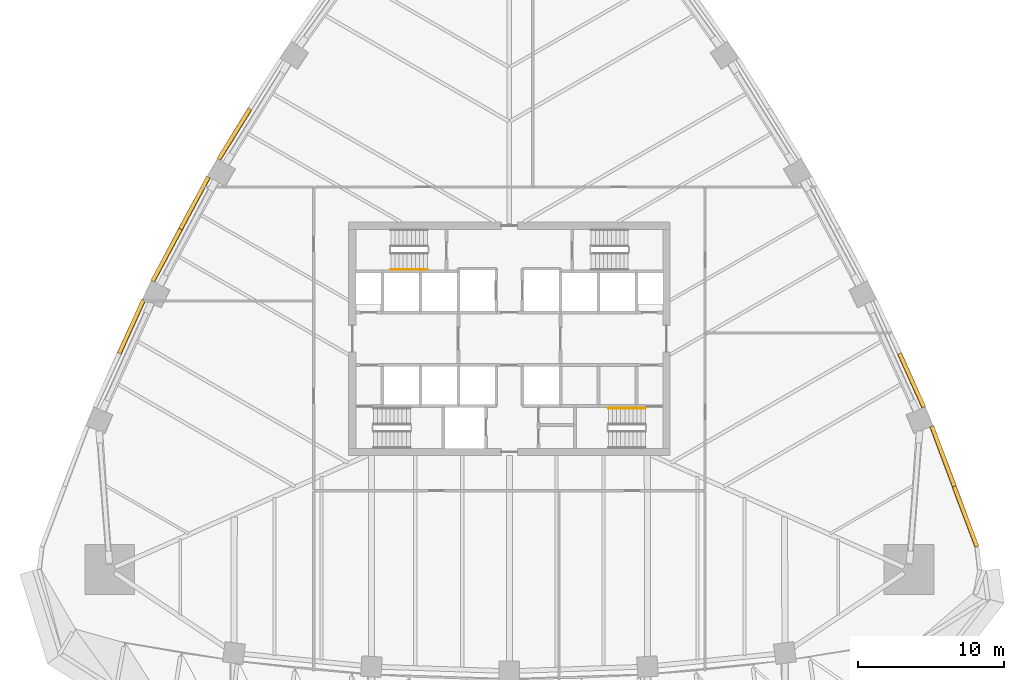
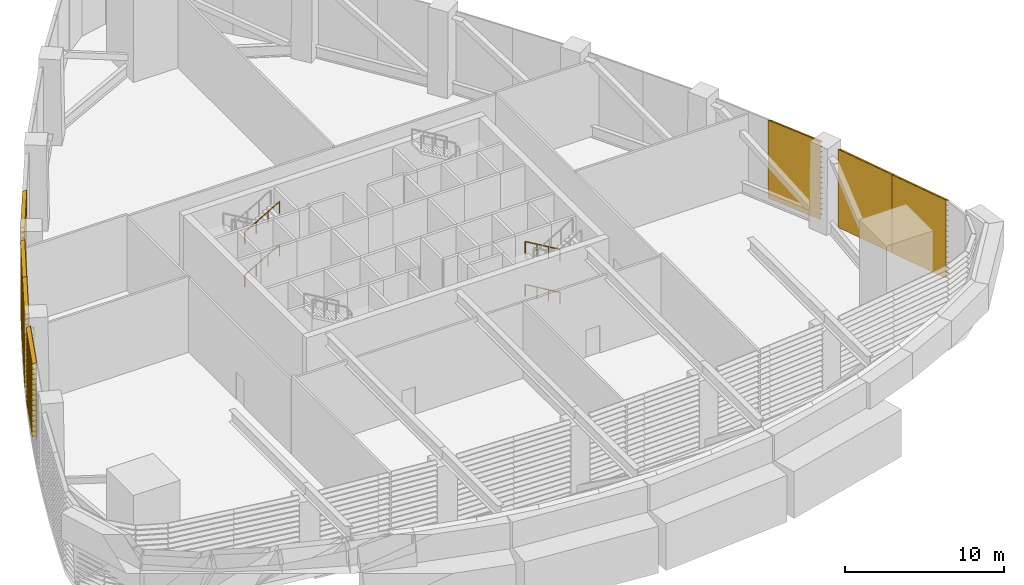
# One storey, part 12 of 15: 7 shading devices, 4 railings.
"""IFC4 building model written with IfcOpenShell, lengths in metres."""

from ifc_helpers import new_model, si_unit, direction, frame, origin, origin_2d, place, context, subcontext, project, spatial, polyline, circle, outline, extrude, material, type_object, element, save


model = new_model("IFC4")

# Units and contexts
model_context = context("Model", 3, precision=1e-05, world=origin(), true_north=direction((0.0, 1.0)))
body_context = subcontext(model_context, "Body", "Model", "MODEL_VIEW")
ifc_project = project(units=[si_unit("LENGTHUNIT", "METRE"), si_unit("AREAUNIT", "SQUARE_METRE"), si_unit("VOLUMEUNIT", "CUBIC_METRE"), si_unit("PLANEANGLEUNIT", "RADIAN"), si_unit("MASSUNIT", "GRAM", prefix="KILO")], contexts=[model_context])

# Site, building, storey
site_placement = place(None, origin())
site = spatial("IfcSite", under=ifc_project, at=site_placement, CompositionType="ELEMENT")
building_placement = place(site_placement, origin())
building = spatial("IfcBuilding", under=site, at=building_placement, Name="Sierra Prisma Convention Tower", CompositionType="ELEMENT")
storey_placement = place(building_placement, frame((0.0, 0.0, 34.199951171875)))
storey = spatial("IfcBuildingStorey", under=building, at=storey_placement, Name="L05", CompositionType="ELEMENT", Elevation=34.199951171875)

# Railings
ifc_material_1 = material(Name="Stainless steel", Category="steel")
railing_type = type_object("IfcRailingType", Name="Exit stair handrail", PredefinedType="HANDRAIL", material=ifc_material_1)
railing_1_placement = place(storey_placement, frame((9.300048828125, -4.75, 0.1650390625)))
element("IfcRailing", 1, at=railing_1_placement, inside=storey, type_object=railing_type, Name="L05 S2 stair handrail 1", PredefinedType="HANDRAIL", context=body_context, shape_type="SweptSolid", body=[
    extrude(circle(Radius=0.02392578125, at=origin_2d()), frame((0.0, 0.0, 0.8759765625), z_axis=(-0.86152411907, 0.0, 0.507716645641), x_axis=(0.0, -1.0, 0.0)), (0.0, 0.0, 1.0), 2.925048828125),
    extrude(circle(Radius=0.02099609375, at=origin_2d()), origin(), (0.0, 0.0, 1.0), 0.851806640625),
    extrude(circle(Radius=0.02099609375, at=origin_2d()), frame((-0.840087890625, 0.0, 0.4951171875)), (0.0, 0.0, 1.0), 0.851806640625),
    extrude(circle(Radius=0.02099609375, at=origin_2d()), frame((-1.679931640625, 0.0, 0.989990234375)), (0.0, 0.0, 1.0), 0.851806640625),
    extrude(circle(Radius=0.02099609375, at=origin_2d()), frame((-2.52001953125, 0.0, 1.485107421875)), (0.0, 0.0, 1.0), 0.851806640625),
])
railing_2_placement = place(storey_placement, frame((9.300048828125, -4.75, 3.465087890625)))
element("IfcRailing", 2, at=railing_2_placement, inside=storey, type_object=railing_type, Name="L05 S2 stair handrail 3", PredefinedType="HANDRAIL", context=body_context, shape_type="SweptSolid", body=[
    extrude(circle(Radius=0.02392578125, at=origin_2d()), frame((0.0, 0.0, 0.8759765625), z_axis=(-0.861560626758, 0.0, 0.507654692109), x_axis=(0.0, -1.0, 0.0)), (0.0, 0.0, 1.0), 2.925048828125),
    extrude(circle(Radius=0.02099609375, at=origin_2d()), origin(), (0.0, 0.0, 1.0), 0.851806640625),
    extrude(circle(Radius=0.02099609375, at=origin_2d()), frame((-0.840087890625, 0.0, 0.494873046875)), (0.0, 0.0, 1.0), 0.851806640625),
    extrude(circle(Radius=0.02099609375, at=origin_2d()), frame((-1.679931640625, 0.0, 0.989990234375)), (0.0, 0.0, 1.0), 0.851806640625),
    extrude(circle(Radius=0.02099609375, at=origin_2d()), frame((-2.52001953125, 0.0, 1.48486328125)), (0.0, 0.0, 1.0), 0.851806640625),
])
for number, where, name in (
    (3, (-8.1201171875, 4.75, 1.81494140625), "L05 S3 stair handrail 2"),
    (4, (-8.1201171875, 4.75, 5.114990234375), "L05 S3 stair handrail 4"),
):
    element("IfcRailing", number, at=place(storey_placement, frame(where)), inside=storey, type_object=railing_type, Name=name, PredefinedType="HANDRAIL", context=body_context, shape_type="SweptSolid", body=[
        extrude(circle(Radius=0.02392578125, at=origin_2d()), frame((0.0, 0.0, 0.8759765625), z_axis=(0.86152411907, 0.0, 0.507716645641), x_axis=(0.0, 1.0, 0.0)), (0.0, 0.0, 1.0), 2.925048828125),
        extrude(circle(Radius=0.02099609375, at=origin_2d()), origin(), (0.0, 0.0, 1.0), 0.851806640625),
        extrude(circle(Radius=0.02099609375, at=origin_2d()), frame((0.840087890625, 0.0, 0.4951171875)), (0.0, 0.0, 1.0), 0.851806640625),
        extrude(circle(Radius=0.02099609375, at=origin_2d()), frame((1.679931640625, 0.0, 0.989990234375)), (0.0, 0.0, 1.0), 0.851806640625),
        extrude(circle(Radius=0.02099609375, at=origin_2d()), frame((2.52001953125, 0.0, 1.485107421875)), (0.0, 0.0, 1.0), 0.851806640625),
    ])

# Shading devices
ifc_material_2 = material(Name="Aluminium 6063-T6 bronze anodised", Category="aluminium")
shading_device_type = type_object("IfcShadingDeviceType", Name="Louvre bay bronze", PredefinedType="USERDEFINED", material=ifc_material_2)
shading_device_1_placement = place(storey_placement, frame((31.8544921875, -14.270751953125, 0.0), z_axis=(0.354803956976, -0.934940721177, 0.0), x_axis=(0.0, 0.0, 1.0)))
element("IfcShadingDevice", 5, at=shading_device_1_placement, inside=storey, type_object=shading_device_type, Name="Louvre L05 NE1.1", ObjectType="LOUVRE", PredefinedType="USERDEFINED", context=body_context, shape_type="SweptSolid", body=[
    extrude(outline(polyline([(0.0, 0.0), (6.0, 0.0), (6.0, -0.030060927012268052), (5.97998046875, -0.030060927012268052), (5.860107421875, -0.29991629364421224), (5.830078125, -0.29991629364421224), (5.949951171875, -0.030060927012268052), (5.60009765625, -0.030060927012268052), (5.580078125, -0.030060927012268052), (5.4599609375, -0.29991629364421224), (5.429931640625, -0.29991629364421224), (5.550048828125, -0.030060927012268052), (5.199951171875, -0.030060927012268052), (5.179931640625, -0.030060927012268052), (5.06005859375, -0.29991629364421224), (5.030029296875, -0.29991629364421224), (5.150146484375, -0.030060927012268052), (4.800048828125, -0.030060927012268052), (4.780029296875, -0.030060927012268052), (4.66015625, -0.29991629364421224), (4.630126953125, -0.29991629364421224), (4.75, -0.030060927012268052), (4.400146484375, -0.030060927012268052), (4.380126953125, -0.030060927012268052), (4.260009765625, -0.29991629364421224), (4.22998046875, -0.29991629364421224), (4.35009765625, -0.030060927012268052), (4.0, -0.030060927012268052), (3.97998046875, -0.030060927012268052), (3.860107421875, -0.29991629364421224), (3.830078125, -0.29991629364421224), (3.949951171875, -0.030060927012268052), (3.60009765625, -0.030060927012268052), (3.580078125, -0.030060927012268052), (3.4599609375, -0.29991629364421224), (3.429931640625, -0.29991629364421224), (3.550048828125, -0.030060927012268052), (3.199951171875, -0.030060927012268052), (3.179931640625, -0.030060927012268052), (3.06005859375, -0.29991629364421224), (3.030029296875, -0.29991629364421224), (3.150146484375, -0.030060927012268052), (2.800048828125, -0.030060927012268052), (2.780029296875, -0.030060927012268052), (2.66015625, -0.29991629364421224), (2.630126953125, -0.29991629364421224), (2.75, -0.030060927012268052), (2.400146484375, -0.030060927012268052), (2.380126953125, -0.030060927012268052), (2.260009765625, -0.29991629364421224), (2.22998046875, -0.29991629364421224), (2.35009765625, -0.030060927012268052), (2.0, -0.030060927012268052), (1.97998046875, -0.030060927012268052), (1.860107421875, -0.29991629364421224), (1.830078125, -0.29991629364421224), (1.949951171875, -0.030060927012268052), (1.60009765625, -0.030060927012268052), (1.580078125, -0.030060927012268052), (1.4599609375, -0.29991629364421224), (1.429931640625, -0.29991629364421224), (1.550048828125, -0.030060927012268052), (1.199951171875, -0.030060927012268052), (1.179931640625, -0.030060927012268052), (1.06005859375, -0.29991629364421224), (1.030029296875, -0.29991629364421224), (1.150146484375, -0.030060927012268052), (0.800048828125, -0.030060927012268052), (0.780029296875, -0.030060927012268052), (0.66015625, -0.29991629364421224), (0.630126953125, -0.29991629364421224), (0.75, -0.030060927012268052), (0.400146484375, -0.030060927012268052), (0.380126953125, -0.030060927012268052), (0.260009765625, -0.29991629364421224), (0.22998046875, -0.29991629364421224), (0.35009765625, -0.030060927012268052), (0.0, -0.030060927012268052), (0.0, 0.0)])), origin(), (0.0, 0.0, -1.0), 4.394287109375),
])
shading_device_2_placement = place(storey_placement, frame((30.3095703125, -10.156982421875, 0.0), z_axis=(0.350870432564, -0.936424016967, 0.0), x_axis=(0.0, 0.0, 1.0)))
element("IfcShadingDevice", 6, at=shading_device_2_placement, inside=storey, type_object=shading_device_type, Name="Louvre L05 NE1.2", ObjectType="LOUVRE", PredefinedType="USERDEFINED", context=body_context, shape_type="SweptSolid", body=[
    extrude(outline(polyline([(0.0, 0.0), (6.0, 0.0), (6.0, -0.0299746558963479), (5.97998046875, -0.0299746558963479), (5.860107421875, -0.2999178824168793), (5.830078125, -0.2999178824168793), (5.949951171875, -0.0299746558963479), (5.60009765625, -0.0299746558963479), (5.580078125, -0.0299746558963479), (5.4599609375, -0.2999178824168793), (5.429931640625, -0.2999178824168793), (5.550048828125, -0.0299746558963479), (5.199951171875, -0.0299746558963479), (5.179931640625, -0.0299746558963479), (5.06005859375, -0.2999178824168793), (5.030029296875, -0.2999178824168793), (5.150146484375, -0.0299746558963479), (4.800048828125, -0.0299746558963479), (4.780029296875, -0.0299746558963479), (4.66015625, -0.2999178824168793), (4.630126953125, -0.2999178824168793), (4.75, -0.0299746558963479), (4.400146484375, -0.0299746558963479), (4.380126953125, -0.0299746558963479), (4.260009765625, -0.2999178824168793), (4.22998046875, -0.2999178824168793), (4.35009765625, -0.0299746558963479), (4.0, -0.0299746558963479), (3.97998046875, -0.0299746558963479), (3.860107421875, -0.2999178824168793), (3.830078125, -0.2999178824168793), (3.949951171875, -0.0299746558963479), (3.60009765625, -0.0299746558963479), (3.580078125, -0.0299746558963479), (3.4599609375, -0.2999178824168793), (3.429931640625, -0.2999178824168793), (3.550048828125, -0.0299746558963479), (3.199951171875, -0.0299746558963479), (3.179931640625, -0.0299746558963479), (3.06005859375, -0.2999178824168793), (3.030029296875, -0.2999178824168793), (3.150146484375, -0.0299746558963479), (2.800048828125, -0.0299746558963479), (2.780029296875, -0.0299746558963479), (2.66015625, -0.2999178824168793), (2.630126953125, -0.2999178824168793), (2.75, -0.0299746558963479), (2.400146484375, -0.0299746558963479), (2.380126953125, -0.0299746558963479), (2.260009765625, -0.2999178824168793), (2.22998046875, -0.2999178824168793), (2.35009765625, -0.0299746558963479), (2.0, -0.0299746558963479), (1.97998046875, -0.0299746558963479), (1.860107421875, -0.2999178824168793), (1.830078125, -0.2999178824168793), (1.949951171875, -0.0299746558963479), (1.60009765625, -0.0299746558963479), (1.580078125, -0.0299746558963479), (1.4599609375, -0.2999178824168793), (1.429931640625, -0.2999178824168793), (1.550048828125, -0.0299746558963479), (1.199951171875, -0.0299746558963479), (1.179931640625, -0.0299746558963479), (1.06005859375, -0.2999178824168793), (1.030029296875, -0.2999178824168793), (1.150146484375, -0.0299746558963479), (0.800048828125, -0.0299746558963479), (0.780029296875, -0.0299746558963479), (0.66015625, -0.2999178824168793), (0.630126953125, -0.2999178824168793), (0.75, -0.0299746558963479), (0.400146484375, -0.0299746558963479), (0.380126953125, -0.0299746558963479), (0.260009765625, -0.2999178824168793), (0.22998046875, -0.2999178824168793), (0.35009765625, -0.0299746558963479), (0.0, -0.0299746558963479), (0.0, 0.0)])), origin(), (0.0, 0.0, -1.0), 4.394287109375),
])
shading_device_3_placement = place(storey_placement, frame((28.22998046875, -4.750244140625, 0.0), z_axis=(0.413510300775, -0.910499440501, 0.0), x_axis=(0.0, 0.0, 1.0)))
element("IfcShadingDevice", 7, at=shading_device_3_placement, inside=storey, type_object=shading_device_type, Name="Louvre L05 NE2.1", ObjectType="LOUVRE", PredefinedType="USERDEFINED", context=body_context, shape_type="SweptSolid", body=[
    extrude(outline(polyline([(0.0, 0.0), (6.0, 0.0), (6.0, -0.030045156903236732), (5.97998046875, -0.030045156903236732), (5.860107421875, -0.30014870504254165), (5.830078125, -0.30014870504254165), (5.949951171875, -0.030045156903236732), (5.60009765625, -0.030045156903236732), (5.580078125, -0.030045156903236732), (5.4599609375, -0.30014870504254165), (5.429931640625, -0.30014870504254165), (5.550048828125, -0.030045156903236732), (5.199951171875, -0.030045156903236732), (5.179931640625, -0.030045156903236732), (5.06005859375, -0.30014870504254165), (5.030029296875, -0.30014870504254165), (5.150146484375, -0.030045156903236732), (4.800048828125, -0.030045156903236732), (4.780029296875, -0.030045156903236732), (4.66015625, -0.30014870504254165), (4.630126953125, -0.30014870504254165), (4.75, -0.030045156903236732), (4.400146484375, -0.030045156903236732), (4.380126953125, -0.030045156903236732), (4.260009765625, -0.30014870504254165), (4.22998046875, -0.30014870504254165), (4.35009765625, -0.030045156903236732), (4.0, -0.030045156903236732), (3.97998046875, -0.030045156903236732), (3.860107421875, -0.30014870504254165), (3.830078125, -0.30014870504254165), (3.949951171875, -0.030045156903236732), (3.60009765625, -0.030045156903236732), (3.580078125, -0.030045156903236732), (3.4599609375, -0.30014870504254165), (3.429931640625, -0.30014870504254165), (3.550048828125, -0.030045156903236732), (3.199951171875, -0.030045156903236732), (3.179931640625, -0.030045156903236732), (3.06005859375, -0.30014870504254165), (3.030029296875, -0.30014870504254165), (3.150146484375, -0.030045156903236732), (2.800048828125, -0.030045156903236732), (2.780029296875, -0.030045156903236732), (2.66015625, -0.30014870504254165), (2.630126953125, -0.30014870504254165), (2.75, -0.030045156903236732), (2.400146484375, -0.030045156903236732), (2.380126953125, -0.030045156903236732), (2.260009765625, -0.30014870504254165), (2.22998046875, -0.30014870504254165), (2.35009765625, -0.030045156903236732), (2.0, -0.030045156903236732), (1.97998046875, -0.030045156903236732), (1.860107421875, -0.30014870504254165), (1.830078125, -0.30014870504254165), (1.949951171875, -0.030045156903236732), (1.60009765625, -0.030045156903236732), (1.580078125, -0.030045156903236732), (1.4599609375, -0.30014870504254165), (1.429931640625, -0.30014870504254165), (1.550048828125, -0.030045156903236732), (1.199951171875, -0.030045156903236732), (1.179931640625, -0.030045156903236732), (1.06005859375, -0.30014870504254165), (1.030029296875, -0.30014870504254165), (1.150146484375, -0.030045156903236732), (0.800048828125, -0.030045156903236732), (0.780029296875, -0.030045156903236732), (0.66015625, -0.30014870504254165), (0.630126953125, -0.30014870504254165), (0.75, -0.030045156903236732), (0.400146484375, -0.030045156903236732), (0.380126953125, -0.030045156903236732), (0.260009765625, -0.30014870504254165), (0.22998046875, -0.30014870504254165), (0.35009765625, -0.030045156903236732), (0.0, -0.030045156903236732), (0.0, 0.0)])), origin(), (0.0, 0.0, -1.0), 4.044189453125),
])
shading_device_4_placement = place(storey_placement, frame((-17.629150390625, 15.6533203125, 0.0), z_axis=(0.527067455118, 0.849823450933, 0.0), x_axis=(0.0, 0.0, 1.0)))
element("IfcShadingDevice", 8, at=shading_device_4_placement, inside=storey, type_object=shading_device_type, Name="Louvre L05 NW3.2", ObjectType="LOUVRE", PredefinedType="USERDEFINED", context=body_context, shape_type="SweptSolid", body=[
    extrude(outline(polyline([(0.0, 0.0), (6.0, 0.0), (6.0, -0.030149132551420984), (5.97998046875, -0.030149132551420984), (5.860107421875, -0.30011778836559744), (5.830078125, -0.30011778836559744), (5.949951171875, -0.030149132551420984), (5.60009765625, -0.030149132551420984), (5.580078125, -0.030149132551420984), (5.4599609375, -0.30011778836559744), (5.429931640625, -0.30011778836559744), (5.550048828125, -0.030149132551420984), (5.199951171875, -0.030149132551420984), (5.179931640625, -0.030149132551420984), (5.06005859375, -0.30011778836559744), (5.030029296875, -0.30011778836559744), (5.150146484375, -0.030149132551420984), (4.800048828125, -0.030149132551420984), (4.780029296875, -0.030149132551420984), (4.66015625, -0.30011778836559744), (4.630126953125, -0.30011778836559744), (4.75, -0.030149132551420984), (4.400146484375, -0.030149132551420984), (4.380126953125, -0.030149132551420984), (4.260009765625, -0.30011778836559744), (4.22998046875, -0.30011778836559744), (4.35009765625, -0.030149132551420984), (4.0, -0.030149132551420984), (3.97998046875, -0.030149132551420984), (3.860107421875, -0.30011778836559744), (3.830078125, -0.30011778836559744), (3.949951171875, -0.030149132551420984), (3.60009765625, -0.030149132551420984), (3.580078125, -0.030149132551420984), (3.4599609375, -0.30011778836559744), (3.429931640625, -0.30011778836559744), (3.550048828125, -0.030149132551420984), (3.199951171875, -0.030149132551420984), (3.179931640625, -0.030149132551420984), (3.06005859375, -0.30011778836559744), (3.030029296875, -0.30011778836559744), (3.150146484375, -0.030149132551420984), (2.800048828125, -0.030149132551420984), (2.780029296875, -0.030149132551420984), (2.66015625, -0.30011778836559744), (2.630126953125, -0.30011778836559744), (2.75, -0.030149132551420984), (2.400146484375, -0.030149132551420984), (2.380126953125, -0.030149132551420984), (2.260009765625, -0.30011778836559744), (2.22998046875, -0.30011778836559744), (2.35009765625, -0.030149132551420984), (2.0, -0.030149132551420984), (1.97998046875, -0.030149132551420984), (1.860107421875, -0.30011778836559744), (1.830078125, -0.30011778836559744), (1.949951171875, -0.030149132551420984), (1.60009765625, -0.030149132551420984), (1.580078125, -0.030149132551420984), (1.4599609375, -0.30011778836559744), (1.429931640625, -0.30011778836559744), (1.550048828125, -0.030149132551420984), (1.199951171875, -0.030149132551420984), (1.179931640625, -0.030149132551420984), (1.06005859375, -0.30011778836559744), (1.030029296875, -0.30011778836559744), (1.150146484375, -0.030149132551420984), (0.800048828125, -0.030149132551420984), (0.780029296875, -0.030149132551420984), (0.66015625, -0.30011778836559744), (0.630126953125, -0.30011778836559744), (0.75, -0.030149132551420984), (0.400146484375, -0.030149132551420984), (0.380126953125, -0.030149132551420984), (0.260009765625, -0.30011778836559744), (0.22998046875, -0.30011778836559744), (0.35009765625, -0.030149132551420984), (0.0, -0.030149132551420984), (0.0, 0.0)])), origin(), (0.0, 0.0, -1.0), 4.044189453125),
])
shading_device_5_placement = place(storey_placement, frame((-20.465087890625, 11.007568359375, 0.0), z_axis=(0.472386754383, 0.881391374069, 0.0), x_axis=(0.0, 0.0, 1.0)))
element("IfcShadingDevice", 9, at=shading_device_5_placement, inside=storey, type_object=shading_device_type, Name="Louvre L05 NW4.1", ObjectType="LOUVRE", PredefinedType="USERDEFINED", context=body_context, shape_type="SweptSolid", body=[
    extrude(outline(polyline([(0.0, 0.0), (6.0, 0.0), (6.0, -0.029928881873457422), (5.97998046875, -0.029928881873457422), (5.860107421875, -0.29981904025992223), (5.830078125, -0.29981904025992223), (5.949951171875, -0.029928881873457422), (5.60009765625, -0.029928881873457422), (5.580078125, -0.029928881873457422), (5.4599609375, -0.29981904025992223), (5.429931640625, -0.29981904025992223), (5.550048828125, -0.029928881873457422), (5.199951171875, -0.029928881873457422), (5.179931640625, -0.029928881873457422), (5.06005859375, -0.29981904025992223), (5.030029296875, -0.29981904025992223), (5.150146484375, -0.029928881873457422), (4.800048828125, -0.029928881873457422), (4.780029296875, -0.029928881873457422), (4.66015625, -0.29981904025992223), (4.630126953125, -0.29981904025992223), (4.75, -0.029928881873457422), (4.400146484375, -0.029928881873457422), (4.380126953125, -0.029928881873457422), (4.260009765625, -0.29981904025992223), (4.22998046875, -0.29981904025992223), (4.35009765625, -0.029928881873457422), (4.0, -0.029928881873457422), (3.97998046875, -0.029928881873457422), (3.860107421875, -0.29981904025992223), (3.830078125, -0.29981904025992223), (3.949951171875, -0.029928881873457422), (3.60009765625, -0.029928881873457422), (3.580078125, -0.029928881873457422), (3.4599609375, -0.29981904025992223), (3.429931640625, -0.29981904025992223), (3.550048828125, -0.029928881873457422), (3.199951171875, -0.029928881873457422), (3.179931640625, -0.029928881873457422), (3.06005859375, -0.29981904025992223), (3.030029296875, -0.29981904025992223), (3.150146484375, -0.029928881873457422), (2.800048828125, -0.029928881873457422), (2.780029296875, -0.029928881873457422), (2.66015625, -0.29981904025992223), (2.630126953125, -0.29981904025992223), (2.75, -0.029928881873457422), (2.400146484375, -0.029928881873457422), (2.380126953125, -0.029928881873457422), (2.260009765625, -0.29981904025992223), (2.22998046875, -0.29981904025992223), (2.35009765625, -0.029928881873457422), (2.0, -0.029928881873457422), (1.97998046875, -0.029928881873457422), (1.860107421875, -0.29981904025992223), (1.830078125, -0.29981904025992223), (1.949951171875, -0.029928881873457422), (1.60009765625, -0.029928881873457422), (1.580078125, -0.029928881873457422), (1.4599609375, -0.29981904025992223), (1.429931640625, -0.29981904025992223), (1.550048828125, -0.029928881873457422), (1.199951171875, -0.029928881873457422), (1.179931640625, -0.029928881873457422), (1.06005859375, -0.29981904025992223), (1.030029296875, -0.29981904025992223), (1.150146484375, -0.029928881873457422), (0.800048828125, -0.029928881873457422), (0.780029296875, -0.029928881873457422), (0.66015625, -0.29981904025992223), (0.630126953125, -0.29981904025992223), (0.75, -0.029928881873457422), (0.400146484375, -0.029928881873457422), (0.380126953125, -0.029928881873457422), (0.260009765625, -0.29981904025992223), (0.22998046875, -0.29981904025992223), (0.35009765625, -0.029928881873457422), (0.0, -0.029928881873457422), (0.0, 0.0)])), origin(), (0.0, 0.0, -1.0), 4.044189453125),
])
shading_device_6_placement = place(storey_placement, frame((-22.370849609375, 7.440673828125, 0.0), z_axis=(0.472234825385, 0.881472784431, 0.0), x_axis=(0.0, 0.0, 1.0)))
element("IfcShadingDevice", 10, at=shading_device_6_placement, inside=storey, type_object=shading_device_type, Name="Louvre L05 NW4.2", ObjectType="LOUVRE", PredefinedType="USERDEFINED", context=body_context, shape_type="SweptSolid", body=[
    extrude(outline(polyline([(0.0, 0.0), (6.0, 0.0), (6.0, -0.029928877097398165), (5.97998046875, -0.029928877097398165), (5.860107421875, -0.30003429253461156), (5.830078125, -0.30003429253461156), (5.949951171875, -0.029928877097398165), (5.60009765625, -0.029928877097398165), (5.580078125, -0.029928877097398165), (5.4599609375, -0.30003429253461156), (5.429931640625, -0.30003429253461156), (5.550048828125, -0.029928877097398165), (5.199951171875, -0.029928877097398165), (5.179931640625, -0.029928877097398165), (5.06005859375, -0.30003429253461156), (5.030029296875, -0.30003429253461156), (5.150146484375, -0.029928877097398165), (4.800048828125, -0.029928877097398165), (4.780029296875, -0.029928877097398165), (4.66015625, -0.30003429253461156), (4.630126953125, -0.30003429253461156), (4.75, -0.029928877097398165), (4.400146484375, -0.029928877097398165), (4.380126953125, -0.029928877097398165), (4.260009765625, -0.30003429253461156), (4.22998046875, -0.30003429253461156), (4.35009765625, -0.029928877097398165), (4.0, -0.029928877097398165), (3.97998046875, -0.029928877097398165), (3.860107421875, -0.30003429253461156), (3.830078125, -0.30003429253461156), (3.949951171875, -0.029928877097398165), (3.60009765625, -0.029928877097398165), (3.580078125, -0.029928877097398165), (3.4599609375, -0.30003429253461156), (3.429931640625, -0.30003429253461156), (3.550048828125, -0.029928877097398165), (3.199951171875, -0.029928877097398165), (3.179931640625, -0.029928877097398165), (3.06005859375, -0.30003429253461156), (3.030029296875, -0.30003429253461156), (3.150146484375, -0.029928877097398165), (2.800048828125, -0.029928877097398165), (2.780029296875, -0.029928877097398165), (2.66015625, -0.30003429253461156), (2.630126953125, -0.30003429253461156), (2.75, -0.029928877097398165), (2.400146484375, -0.029928877097398165), (2.380126953125, -0.029928877097398165), (2.260009765625, -0.30003429253461156), (2.22998046875, -0.30003429253461156), (2.35009765625, -0.029928877097398165), (2.0, -0.029928877097398165), (1.97998046875, -0.029928877097398165), (1.860107421875, -0.30003429253461156), (1.830078125, -0.30003429253461156), (1.949951171875, -0.029928877097398165), (1.60009765625, -0.029928877097398165), (1.580078125, -0.029928877097398165), (1.4599609375, -0.30003429253461156), (1.429931640625, -0.30003429253461156), (1.550048828125, -0.029928877097398165), (1.199951171875, -0.029928877097398165), (1.179931640625, -0.029928877097398165), (1.06005859375, -0.30003429253461156), (1.030029296875, -0.30003429253461156), (1.150146484375, -0.029928877097398165), (0.800048828125, -0.029928877097398165), (0.780029296875, -0.029928877097398165), (0.66015625, -0.30003429253461156), (0.630126953125, -0.30003429253461156), (0.75, -0.029928877097398165), (0.400146484375, -0.029928877097398165), (0.380126953125, -0.029928877097398165), (0.260009765625, -0.30003429253461156), (0.22998046875, -0.30003429253461156), (0.35009765625, -0.029928877097398165), (0.0, -0.029928877097398165), (0.0, 0.0)])), origin(), (0.0, 0.0, -1.0), 4.044189453125),
])
shading_device_7_placement = place(storey_placement, frame((-24.895263671875, 2.61865234375, 0.0), z_axis=(0.413647403297, 0.910437161887, 0.0), x_axis=(0.0, 0.0, 1.0)))
element("IfcShadingDevice", 11, at=shading_device_7_placement, inside=storey, type_object=shading_device_type, Name="Louvre L05 NW5.1", ObjectType="LOUVRE", PredefinedType="USERDEFINED", context=body_context, shape_type="SweptSolid", body=[
    extrude(outline(polyline([(0.0, 0.0), (6.0, 0.0), (6.0, -0.030045161059457964), (5.97998046875, -0.030045161059457964), (5.860107421875, -0.2999263714901415), (5.830078125, -0.2999263714901415), (5.949951171875, -0.030045161059457964), (5.60009765625, -0.030045161059457964), (5.580078125, -0.030045161059457964), (5.4599609375, -0.2999263714901415), (5.429931640625, -0.2999263714901415), (5.550048828125, -0.030045161059457964), (5.199951171875, -0.030045161059457964), (5.179931640625, -0.030045161059457964), (5.06005859375, -0.2999263714901415), (5.030029296875, -0.2999263714901415), (5.150146484375, -0.030045161059457964), (4.800048828125, -0.030045161059457964), (4.780029296875, -0.030045161059457964), (4.66015625, -0.2999263714901415), (4.630126953125, -0.2999263714901415), (4.75, -0.030045161059457964), (4.400146484375, -0.030045161059457964), (4.380126953125, -0.030045161059457964), (4.260009765625, -0.2999263714901415), (4.22998046875, -0.2999263714901415), (4.35009765625, -0.030045161059457964), (4.0, -0.030045161059457964), (3.97998046875, -0.030045161059457964), (3.860107421875, -0.2999263714901415), (3.830078125, -0.2999263714901415), (3.949951171875, -0.030045161059457964), (3.60009765625, -0.030045161059457964), (3.580078125, -0.030045161059457964), (3.4599609375, -0.2999263714901415), (3.429931640625, -0.2999263714901415), (3.550048828125, -0.030045161059457964), (3.199951171875, -0.030045161059457964), (3.179931640625, -0.030045161059457964), (3.06005859375, -0.2999263714901415), (3.030029296875, -0.2999263714901415), (3.150146484375, -0.030045161059457964), (2.800048828125, -0.030045161059457964), (2.780029296875, -0.030045161059457964), (2.66015625, -0.2999263714901415), (2.630126953125, -0.2999263714901415), (2.75, -0.030045161059457964), (2.400146484375, -0.030045161059457964), (2.380126953125, -0.030045161059457964), (2.260009765625, -0.2999263714901415), (2.22998046875, -0.2999263714901415), (2.35009765625, -0.030045161059457964), (2.0, -0.030045161059457964), (1.97998046875, -0.030045161059457964), (1.860107421875, -0.2999263714901415), (1.830078125, -0.2999263714901415), (1.949951171875, -0.030045161059457964), (1.60009765625, -0.030045161059457964), (1.580078125, -0.030045161059457964), (1.4599609375, -0.2999263714901415), (1.429931640625, -0.2999263714901415), (1.550048828125, -0.030045161059457964), (1.199951171875, -0.030045161059457964), (1.179931640625, -0.030045161059457964), (1.06005859375, -0.2999263714901415), (1.030029296875, -0.2999263714901415), (1.150146484375, -0.030045161059457964), (0.800048828125, -0.030045161059457964), (0.780029296875, -0.030045161059457964), (0.66015625, -0.2999263714901415), (0.630126953125, -0.2999263714901415), (0.75, -0.030045161059457964), (0.400146484375, -0.030045161059457964), (0.380126953125, -0.030045161059457964), (0.260009765625, -0.2999263714901415), (0.22998046875, -0.2999263714901415), (0.35009765625, -0.030045161059457964), (0.0, -0.030045161059457964), (0.0, 0.0)])), origin(), (0.0, 0.0, -1.0), 4.044189453125),
])

save(model, "model.ifc")
